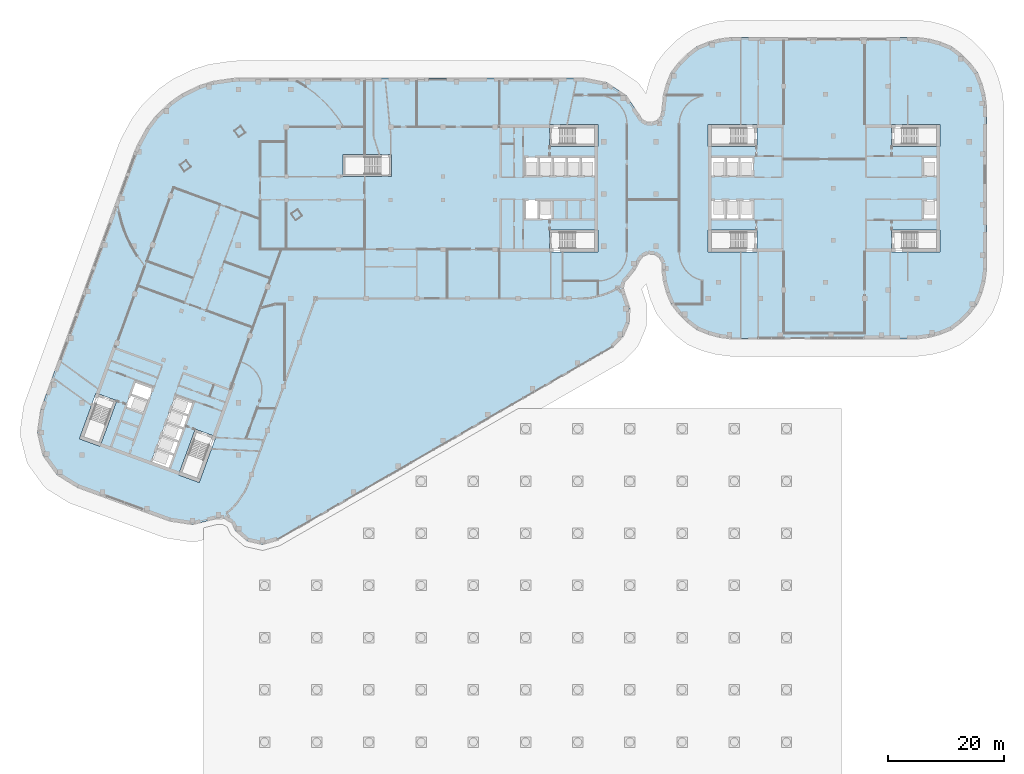
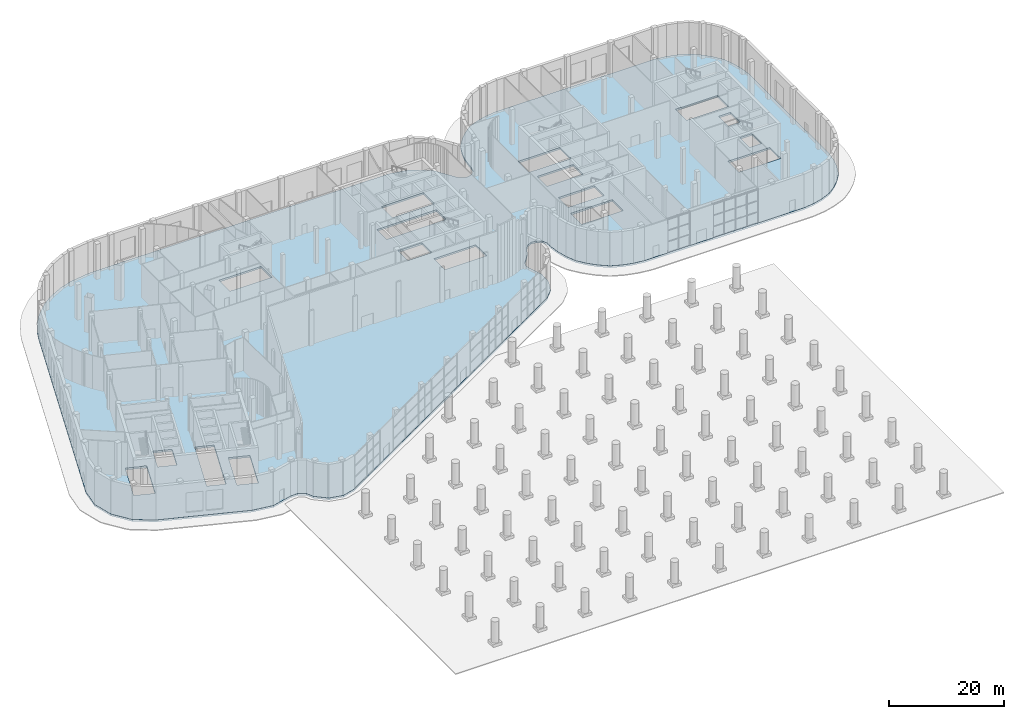
# One storey, part 8 of 30: 1 slab.
"""IFC4 building model written with IfcOpenShell, lengths in metres."""

from ifc_helpers import new_model, si_unit, direction, frame, origin, place, context, subcontext, project, spatial, polyline, outline, extrude, material, layer, layer_set, type_object, element, save


model = new_model("IFC4")

# Units and contexts
model_context = context("Model", 3, precision=1e-05, world=origin(), true_north=direction((0.0, 1.0)))
body_context = subcontext(model_context, "Body", "Model", "MODEL_VIEW")
ifc_project = project(units=[si_unit("LENGTHUNIT", "METRE"), si_unit("AREAUNIT", "SQUARE_METRE"), si_unit("VOLUMEUNIT", "CUBIC_METRE"), si_unit("PLANEANGLEUNIT", "RADIAN"), si_unit("MASSUNIT", "GRAM", prefix="KILO")], contexts=[model_context])

# Site, building, storey
site_placement = place(None, origin())
site = spatial("IfcSite", under=ifc_project, at=site_placement, CompositionType="ELEMENT")
building_placement = place(site_placement, origin())
building = spatial("IfcBuilding", under=site, at=building_placement, Name="Skarvind Civic Tower", CompositionType="ELEMENT")
storey_placement = place(building_placement, origin())
storey = spatial("IfcBuildingStorey", under=building, at=storey_placement, Name="L00", CompositionType="ELEMENT", Elevation=0.0)

# Slab
ifc_material = material(Name="Concrete C50", Category="concrete")
ifc_layer = layer(ifc_material, 0.39990234375)
ifc_layer_set = layer_set([ifc_layer], Name="Podium floor slab 400 C50")
slab_type = type_object("IfcSlabType", Name="Podium floor slab 400 C50", PredefinedType="FLOOR", material=ifc_layer_set)
slab_placement = place(storey_placement, frame((0.0, 0.0, -0.39990234375)))
element("IfcSlab", 1, at=slab_placement, inside=storey, type_object=slab_type, Name="Podium floor slab L00 1", PredefinedType="FLOOR", context=body_context, shape_type="SweptSolid", body=[
    extrude(outline(polyline([(52.751220703125, 67.291015625), (110.5869140625, 100.577880859375), (112.365234375, 102.4130859375), (113.374267578125, 104.760986328125), (113.4814453125, 107.314208984375), (112.6728515625, 109.73828125), (112.37109375, 110.751953125), (112.6005859375, 111.7841796875), (113.303466796875, 112.57470703125), (114.366455078125, 113.885009765625), (115.1328125, 115.388427734375), (115.75048828125, 116.2119140625), (116.6904296875, 116.63232421875), (117.716064453125, 116.54345703125), (118.56982421875, 115.968017578125), (119.036865234375, 115.05078125), (119.0, 114.021728515625), (119.2783203125, 111.908447265625), (119.8017578125, 109.95458984375), (120.610107421875, 108.001220703125), (121.897705078125, 106.32470703125), (123.32470703125, 104.897705078125), (125.001220703125, 103.610107421875), (126.95458984375, 102.8017578125), (128.908447265625, 102.2783203125), (131.021728515625, 102.0), (162.978271484375, 102.0), (165.091552734375, 102.2783203125), (167.04541015625, 102.8017578125), (168.998779296875, 103.610107421875), (170.67529296875, 104.897705078125), (172.102294921875, 106.32470703125), (173.389892578125, 108.001220703125), (174.1982421875, 109.95458984375), (174.7216796875, 111.908447265625), (175.0, 114.021728515625), (175.0, 141.978271484375), (174.7216796875, 144.091552734375), (174.1982421875, 146.04541015625), (173.389892578125, 147.998779296875), (172.102294921875, 149.67529296875), (170.67529296875, 151.102294921875), (168.998779296875, 152.389892578125), (167.04541015625, 153.1982421875), (165.091552734375, 153.7216796875), (162.978271484375, 154.0), (131.021728515625, 154.0), (128.908447265625, 153.7216796875), (126.95458984375, 153.1982421875), (125.001220703125, 152.389892578125), (123.32470703125, 151.102294921875), (121.897705078125, 149.67529296875), (120.610107421875, 147.998779296875), (119.8017578125, 146.04541015625), (119.2783203125, 144.091552734375), (119.0, 141.328369140625), (118.785400390625, 140.427490234375), (118.18798828125, 139.7197265625), (117.336181640625, 139.356689453125), (116.411865234375, 139.41650390625), (115.613525390625, 139.885986328125), (115.1123046875, 140.664794921875), (112.829345703125, 144.004638671875), (109.44921875, 146.227294921875), (105.478271484375, 147.0), (46.114013671875, 147.0), (44.900390625, 146.910400390625), (41.58837890625, 146.417724609375), (39.1904296875, 145.67041015625), (36.191162109375, 144.19775390625), (34.1337890625, 142.757080078125), (31.72412109375, 140.442626953125), (30.201904296875, 138.44482421875), (28.606201171875, 135.5009765625), (28.10693359375, 134.391357421875), (11.9072265625, 89.883544921875), (11.325439453125, 85.83349609375), (12.311279296875, 81.862548828125), (14.719482421875, 78.554931640625), (18.19580078125, 76.3974609375), (34.129638671875, 70.59814453125), (38.114990234375, 69.990478515625), (42.026611328125, 70.964111328125), (43.532470703125, 71.034423828125), (44.827880859375, 70.263916015625), (45.484619140625, 68.9072265625), (47.523193359375, 67.14111328125), (50.15625, 66.555419921875), (52.751220703125, 67.291015625)]), holes=[polyline([(32.625244140625, 85.40576171875), (32.625244140625, 85.40576171875), (33.446044921875, 87.660888671875), (34.26708984375, 89.916259765625), (35.087890625, 92.17138671875), (38.28271484375, 91.008544921875), (37.4619140625, 88.75341796875), (36.64111328125, 86.498046875), (35.8203125, 84.242919921875), (35.8203125, 84.242919921875), (34.99951171875, 81.987548828125), (34.178466796875, 79.732421875), (30.983642578125, 80.89501953125), (31.804443359375, 83.150390625), (32.625244140625, 85.40576171875)]), polyline([(35.664794921875, 78.552734375), (38.53759765625, 86.4462890625), (42.108642578125, 85.146484375), (39.235595703125, 77.253173828125), (35.664794921875, 78.552734375)]), polyline([(18.5625, 84.777587890625), (21.435302734375, 92.6708984375), (25.006103515625, 91.371337890625), (22.13330078125, 83.477783203125), (18.5625, 84.777587890625)]), polyline([(31.3291015625, 93.53955078125), (30.50830078125, 91.2841796875), (29.6875, 89.029052734375), (26.492431640625, 90.19189453125), (27.313232421875, 92.447021484375), (28.134033203125, 94.702392578125), (31.3291015625, 93.53955078125)]), polyline([(100.199951171875, 122.60009765625), (97.800048828125, 122.60009765625), (95.39990234375, 122.60009765625), (95.39990234375, 126.0), (97.800048828125, 126.0), (100.199951171875, 126.0), (100.199951171875, 122.60009765625)]), polyline([(102.60009765625, 133.39990234375), (105.0, 133.39990234375), (107.39990234375, 133.39990234375), (107.39990234375, 130.0), (105.0, 130.0), (102.60009765625, 130.0), (100.199951171875, 130.0), (97.800048828125, 130.0), (95.39990234375, 130.0), (95.39990234375, 133.39990234375), (97.800048828125, 133.39990234375), (100.199951171875, 133.39990234375), (102.60009765625, 133.39990234375)]), polyline([(64.0, 133.800048828125), (72.39990234375, 133.800048828125), (72.39990234375, 130.0), (64.0, 130.0), (64.0, 133.800048828125)]), polyline([(108.0, 135.199951171875), (99.60009765625, 135.199951171875), (99.60009765625, 139.0), (108.0, 139.0), (108.0, 135.199951171875)]), polyline([(108.0, 117.0), (99.60009765625, 117.0), (99.60009765625, 120.800048828125), (108.0, 120.800048828125), (108.0, 117.0)]), polyline([(127.0, 120.800048828125), (135.39990234375, 120.800048828125), (135.39990234375, 117.0), (127.0, 117.0), (127.0, 120.800048828125)]), polyline([(167.0, 117.0), (158.60009765625, 117.0), (158.60009765625, 120.800048828125), (167.0, 120.800048828125), (167.0, 117.0)]), polyline([(134.800048828125, 126.0), (134.800048828125, 122.60009765625), (132.39990234375, 122.60009765625), (130.0, 122.60009765625), (127.60009765625, 122.60009765625), (127.60009765625, 126.0), (130.0, 126.0), (132.39990234375, 126.0), (134.800048828125, 126.0)]), polyline([(166.39990234375, 122.60009765625), (164.0, 122.60009765625), (164.0, 126.0), (166.39990234375, 126.0), (166.39990234375, 122.60009765625)]), polyline([(134.800048828125, 133.39990234375), (134.800048828125, 130.0), (132.39990234375, 130.0), (130.0, 130.0), (127.60009765625, 130.0), (127.60009765625, 133.39990234375), (130.0, 133.39990234375), (132.39990234375, 133.39990234375), (134.800048828125, 133.39990234375)]), polyline([(166.39990234375, 130.0), (164.0, 130.0), (164.0, 133.39990234375), (166.39990234375, 133.39990234375), (166.39990234375, 130.0)]), polyline([(127.0, 139.0), (135.39990234375, 139.0), (135.39990234375, 135.199951171875), (127.0, 135.199951171875), (127.0, 139.0)]), polyline([(167.0, 135.199951171875), (158.60009765625, 135.199951171875), (158.60009765625, 139.0), (167.0, 139.0), (167.0, 135.199951171875)])]), origin(), (0.0, 0.0, 1.0), 0.39990234375),
])

save(model, "model.ifc")
